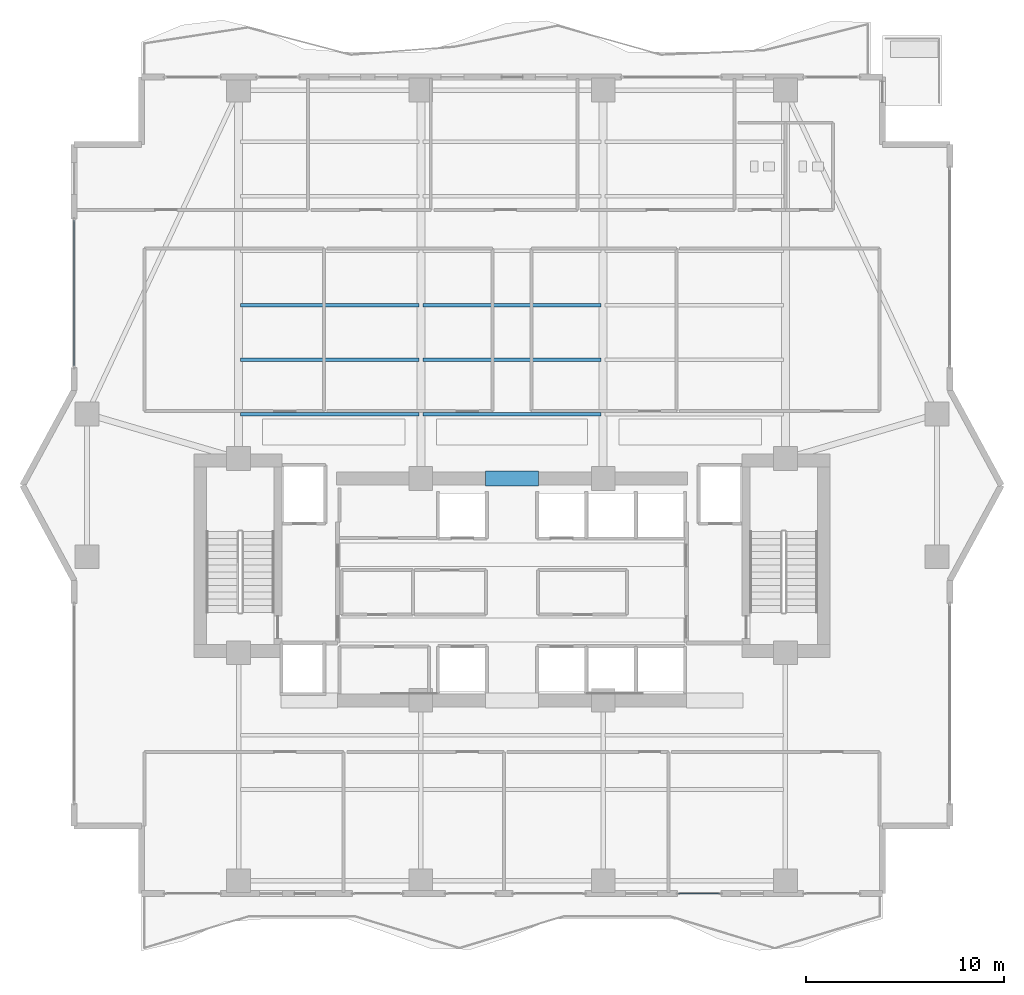
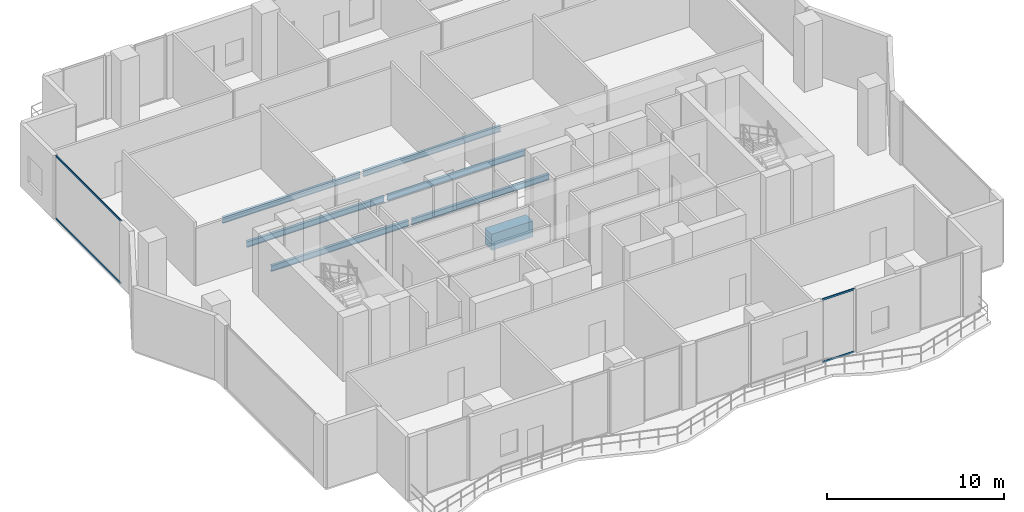
# One storey, part 8 of 31: 7 beams, 4 members, 2 elements without a shape of their own.
"""IFC4 building model written with IfcOpenShell, lengths in metres."""

from ifc_helpers import new_model, si_unit, direction, frame, origin, origin_2d, place, context, subcontext, project, spatial, rectangle, hollow_rectangle, i_section, extrude, material, layer, layer_set, material_profile, profile_set, type_object, element, aggregate, save


model = new_model("IFC4")

# Units and contexts
model_context = context("Model", 3, precision=1e-05, world=origin(), true_north=direction((0.0, 1.0)))
body_context = subcontext(model_context, "Body", "Model", "MODEL_VIEW")
ifc_project = project(units=[si_unit("LENGTHUNIT", "METRE"), si_unit("AREAUNIT", "SQUARE_METRE"), si_unit("VOLUMEUNIT", "CUBIC_METRE"), si_unit("PLANEANGLEUNIT", "RADIAN"), si_unit("MASSUNIT", "GRAM", prefix="KILO")], contexts=[model_context])

# Site, building, storey
site_placement = place(None, origin())
site = spatial("IfcSite", under=ifc_project, at=site_placement, CompositionType="ELEMENT")
building_placement = place(site_placement, origin())
building = spatial("IfcBuilding", under=site, at=building_placement, Name="Zuhayl Quay Hotel", CompositionType="ELEMENT")
storey_placement = place(building_placement, frame((0.0, 0.0, 172.800048828125)))
storey = spatial("IfcBuildingStorey", under=building, at=storey_placement, Name="L43", CompositionType="ELEMENT", Elevation=172.800048828125)

# Beams
ifc_material_1 = material(Name="Concrete C60/75", Category="concrete")
ifc_material_profile_1 = material_profile(ifc_material_1, rectangle(XDim=0.75, YDim=1.10009765625, at=origin_2d()), Name="RC750X1100")
ifc_profile_set_1 = profile_set([ifc_material_profile_1], Name="Concrete C60/75")
beam_type_1 = type_object("IfcBeamType", Name="BM_CB2_RC750", PredefinedType="T_BEAM", material=ifc_profile_set_1)
beam_1_placement = place(storey_placement, frame((-1.35009765625, 13.35009765625, -0.77001953125), z_axis=(1.0, 0.0, 0.0), x_axis=(0.0, 1.0, 0.0)))
element("IfcBeam", 1, at=beam_1_placement, inside=storey, type_object=beam_type_1, Name="L43 Core Coupling Beam North", PredefinedType="T_BEAM", context=body_context, shape_type="SweptSolid", body=[
    extrude(rectangle(XDim=0.75, YDim=1.10009765625, at=origin_2d()), origin(), (0.0, 0.0, 1.0), 2.7001953125),
])
ifc_material_2 = material(Name="Steel ASTM A992 Grade 50", Category="steel")
ifc_material_profile_2 = material_profile(ifc_material_2, i_section(OverallWidth=0.177978515625, OverallDepth=0.406005859375, WebThickness=0.0078125, FlangeThickness=0.0126953125, at=origin_2d()), Name="W16X40")
ifc_profile_set_2 = profile_set([ifc_material_profile_2], Name="Steel ASTM A992 Grade 50")
beam_type_2 = type_object("IfcBeamType", Name="BM_J2B_W16X40", PredefinedType="JOIST", material=ifc_profile_set_2)
beam_2_placement = place(storey_placement, frame((-13.694091796875, 16.60009765625, -0.423095703125), z_axis=(1.0, 0.0, 0.0), x_axis=(0.0, 1.0, 0.0)))
element("IfcBeam", 2, at=beam_2_placement, inside=storey, type_object=beam_type_2, Name="L43 Floor Beam FJ_L43_1_1", PredefinedType="JOIST", context=body_context, shape_type="SweptSolid", body=[
    extrude(i_section(OverallWidth=0.177978515625, OverallDepth=0.406005859375, WebThickness=0.0078125, FlangeThickness=0.0126953125, at=origin_2d()), origin(), (0.0, 0.0, 1.0), 8.988037109375),
])
beam_3_placement = place(storey_placement, frame((-4.493896484375, 16.60009765625, -0.423095703125), z_axis=(1.0, 0.0, 0.0), x_axis=(0.0, 1.0, 0.0)))
element("IfcBeam", 3, at=beam_3_placement, inside=storey, type_object=beam_type_2, Name="L43 Floor Beam FJ_L43_1_2", PredefinedType="JOIST", context=body_context, shape_type="SweptSolid", body=[
    extrude(i_section(OverallWidth=0.177978515625, OverallDepth=0.406005859375, WebThickness=0.0078125, FlangeThickness=0.0126953125, at=origin_2d()), origin(), (0.0, 0.0, 1.0), 8.98779296875),
])
beam_4_placement = place(storey_placement, frame((-13.694091796875, 19.35009765625, -0.423095703125), z_axis=(1.0, 0.0, 0.0), x_axis=(0.0, 1.0, 0.0)))
element("IfcBeam", 4, at=beam_4_placement, inside=storey, type_object=beam_type_2, Name="L43 Floor Beam FJ_L43_2_1", PredefinedType="JOIST", context=body_context, shape_type="SweptSolid", body=[
    extrude(i_section(OverallWidth=0.177978515625, OverallDepth=0.406005859375, WebThickness=0.0078125, FlangeThickness=0.0126953125, at=origin_2d()), origin(), (0.0, 0.0, 1.0), 8.988037109375),
])
beam_5_placement = place(storey_placement, frame((-4.493896484375, 19.35009765625, -0.423095703125), z_axis=(1.0, 0.0, 0.0), x_axis=(0.0, 1.0, 0.0)))
element("IfcBeam", 5, at=beam_5_placement, inside=storey, type_object=beam_type_2, Name="L43 Floor Beam FJ_L43_2_2", PredefinedType="JOIST", context=body_context, shape_type="SweptSolid", body=[
    extrude(i_section(OverallWidth=0.177978515625, OverallDepth=0.406005859375, WebThickness=0.0078125, FlangeThickness=0.0126953125, at=origin_2d()), origin(), (0.0, 0.0, 1.0), 8.98779296875),
])
beam_6_placement = place(storey_placement, frame((-13.694091796875, 22.10009765625, -0.423095703125), z_axis=(1.0, 0.0, 0.0), x_axis=(0.0, 1.0, 0.0)))
element("IfcBeam", 6, at=beam_6_placement, inside=storey, type_object=beam_type_2, Name="L43 Floor Beam FJ_L43_3_1", PredefinedType="JOIST", context=body_context, shape_type="SweptSolid", body=[
    extrude(i_section(OverallWidth=0.177978515625, OverallDepth=0.406005859375, WebThickness=0.0078125, FlangeThickness=0.0126953125, at=origin_2d()), origin(), (0.0, 0.0, 1.0), 8.988037109375),
])
beam_7_placement = place(storey_placement, frame((-4.493896484375, 22.10009765625, -0.423095703125), z_axis=(1.0, 0.0, 0.0), x_axis=(0.0, 1.0, 0.0)))
element("IfcBeam", 7, at=beam_7_placement, inside=storey, type_object=beam_type_2, Name="L43 Floor Beam FJ_L43_3_2", PredefinedType="JOIST", context=body_context, shape_type="SweptSolid", body=[
    extrude(i_section(OverallWidth=0.177978515625, OverallDepth=0.406005859375, WebThickness=0.0078125, FlangeThickness=0.0126953125, at=origin_2d()), origin(), (0.0, 0.0, 1.0), 8.98779296875),
])

# Curtain wall, members
ifc_material_3 = material(Name="Anodised Aluminium 6063-T6", Category="aluminium")
ifc_layer = layer(ifc_material_3, 0.175048828125, Name="Anodised Aluminium 6063-T6", Category="aluminium")
ifc_layer_set = layer_set([ifc_layer], Name="Anodised Aluminium 6063-T6")
curtain_wall_type = type_object("IfcCurtainWallType", Name="CW_SYS_Z3", PredefinedType="USERDEFINED", material=ifc_layer_set)
curtain_wall_1_placement = place(storey_placement, origin())
curtain_wall_1 = element("IfcCurtainWall", 8, at=curtain_wall_1_placement, inside=storey, type_object=curtain_wall_type, Name="L43 Curtain Wall ENV_L43_E05_CW1", ObjectType="UNITISED CURTAIN WALL", PredefinedType="USERDEFINED")
ifc_material_4 = material(Name="Black-anodised aluminium 6063-T6", Category="aluminium")
ifc_material_profile_3 = material_profile(ifc_material_4, hollow_rectangle(XDim=0.054931640625, YDim=0.1298828125, WallThickness=0.0029296875, at=origin_2d()), Name="ALU130X55")
ifc_profile_set_3 = profile_set([ifc_material_profile_3], Name="Black-anodised aluminium 6063-T6")
member_type = type_object("IfcMemberType", Name="MB_CW_TRN_130", PredefinedType="USERDEFINED", material=ifc_profile_set_3)
member_1_placement = place(storey_placement, frame((-22.10009765625, 19.014892578125, 0.02734375), z_axis=(0.0, 1.0, 0.0), x_axis=(-1.0, 0.0, 0.0)))
member_1 = element("IfcMember", 9, at=member_1_placement, type_object=member_type, Name="CW-Z3 transom 1.1", ObjectType="TRANSOM", PredefinedType="USERDEFINED", context=body_context, shape_type="SweptSolid", body=[
    extrude(hollow_rectangle(XDim=0.054931640625, YDim=0.1298828125, WallThickness=0.0029296875, at=origin_2d()), origin(), (0.0, 0.0, 1.0), 7.3701171875),
])
member_2_placement = place(storey_placement, frame((-22.10009765625, 19.014892578125, 4.3525390625), z_axis=(0.0, 1.0, 0.0), x_axis=(-1.0, 0.0, 0.0)))
member_2 = element("IfcMember", 10, at=member_2_placement, type_object=member_type, Name="CW-Z3 transom 1.2", ObjectType="TRANSOM", PredefinedType="USERDEFINED", context=body_context, shape_type="SweptSolid", body=[
    extrude(hollow_rectangle(XDim=0.054931640625, YDim=0.1298828125, WallThickness=0.0029296875, at=origin_2d()), origin(), (0.0, 0.0, 1.0), 7.3701171875),
])
aggregate(curtain_wall_1, [member_1, member_2])

curtain_wall_2_placement = place(storey_placement, origin())
curtain_wall_2 = element("IfcCurtainWall", 11, at=curtain_wall_2_placement, inside=storey, type_object=curtain_wall_type, Name="L43 Curtain Wall ENV_L43_S_CW2", ObjectType="UNITISED CURTAIN WALL", PredefinedType="USERDEFINED")
member_3_placement = place(storey_placement, frame((10.485107421875, -7.60009765625, 0.02734375), z_axis=(-1.0, 0.0, 0.0), x_axis=(0.0, -1.0, 0.0)))
member_3 = element("IfcMember", 12, at=member_3_placement, type_object=member_type, Name="CW-Z3 transom 1.1", ObjectType="TRANSOM", PredefinedType="USERDEFINED", context=body_context, shape_type="SweptSolid", body=[
    extrude(hollow_rectangle(XDim=0.054931640625, YDim=0.1298828125, WallThickness=0.0029296875, at=origin_2d()), origin(), (0.0, 0.0, 1.0), 2.070068359375),
])
member_4_placement = place(storey_placement, frame((10.485107421875, -7.60009765625, 4.3525390625), z_axis=(-1.0, 0.0, 0.0), x_axis=(0.0, -1.0, 0.0)))
member_4 = element("IfcMember", 13, at=member_4_placement, type_object=member_type, Name="CW-Z3 transom 1.2", ObjectType="TRANSOM", PredefinedType="USERDEFINED", context=body_context, shape_type="SweptSolid", body=[
    extrude(hollow_rectangle(XDim=0.054931640625, YDim=0.1298828125, WallThickness=0.0029296875, at=origin_2d()), origin(), (0.0, 0.0, 1.0), 2.070068359375),
])
aggregate(curtain_wall_2, [member_3, member_4])

save(model, "model.ifc")
